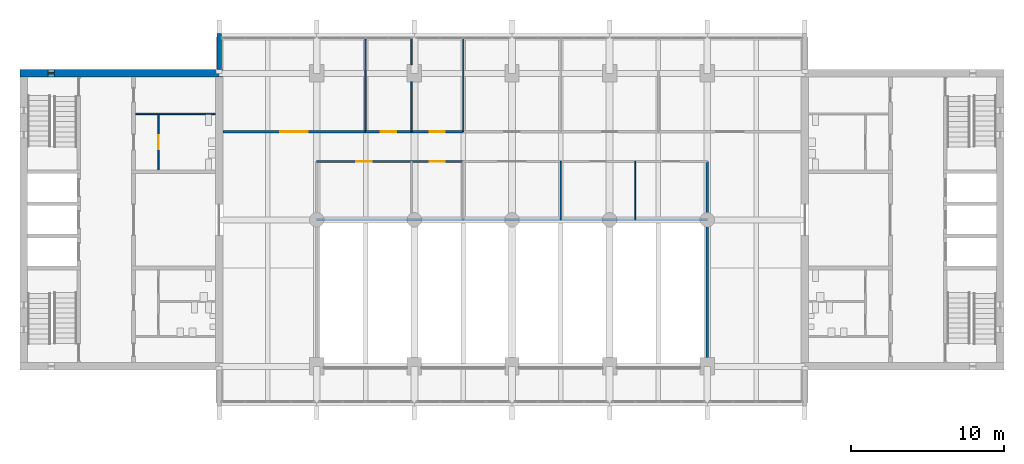
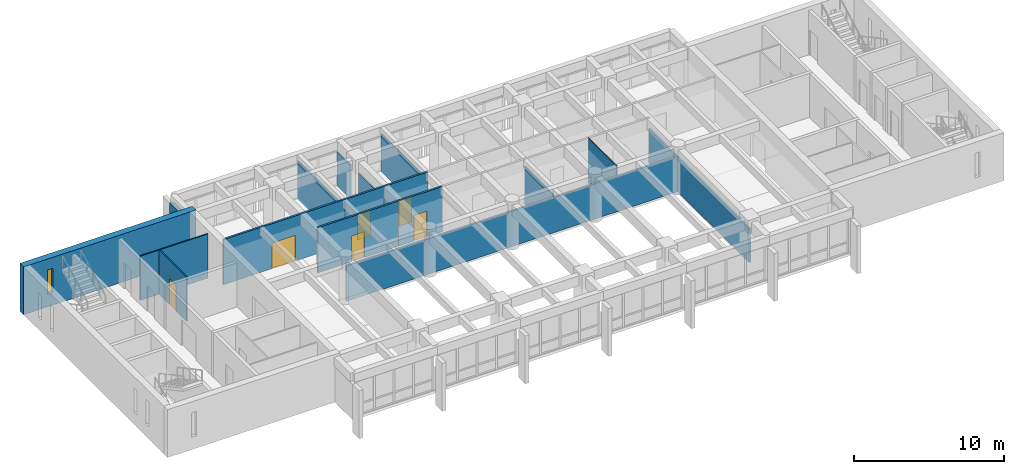
# One storey, part 10 of 15: 17 walls, 6 doors, 1 window, 7 openings.
"""IFC4 building model written with IfcOpenShell, lengths in metres."""

from ifc_helpers import new_model, si_unit, direction, frame, frame_2d, origin, place, context, subcontext, project, spatial, rectangle, extrude, material, layer, layer_set, type_object, element, fill, save


model = new_model("IFC4")

# Units and contexts
model_context = context("Model", 3, precision=1e-05, world=origin(), true_north=direction((0.0, 1.0)))
body_context = subcontext(model_context, "Body", "Model", "MODEL_VIEW")
ifc_project = project(units=[si_unit("LENGTHUNIT", "METRE"), si_unit("AREAUNIT", "SQUARE_METRE"), si_unit("VOLUMEUNIT", "CUBIC_METRE"), si_unit("PLANEANGLEUNIT", "RADIAN"), si_unit("MASSUNIT", "GRAM", prefix="KILO")], contexts=[model_context])

# Site, building, storey
site_placement = place(None, origin())
site = spatial("IfcSite", under=ifc_project, at=site_placement, CompositionType="ELEMENT")
building_placement = place(site_placement, origin())
building = spatial("IfcBuilding", under=site, at=building_placement, Name="Fogon Plaza Fire Station and Headquarters Tower", CompositionType="ELEMENT")
storey_placement = place(building_placement, frame((0.0, 0.0, 36.60009765625)))
storey = spatial("IfcBuildingStorey", under=building, at=storey_placement, Name="L09", CompositionType="ELEMENT", Elevation=36.60009765625)

# Wall
ifc_material_1 = material(Name="Concrete C40", Category="concrete")
ifc_layer_1 = layer(ifc_material_1, 0.300048828125)
ifc_layer_set_1 = layer_set([ifc_layer_1], Name="Concrete C40")
wall_type_1 = type_object("IfcWallType", Name="Fair-faced RC Return Panel 300", PredefinedType="SOLIDWALL", material=ifc_layer_set_1)
wall_1_placement = place(storey_placement, frame((25.60009765625, 53.050048828125, 0.0), z_axis=(0.0, 0.0, 1.0), x_axis=(0.0, 1.0, 0.0)))
element("IfcWall", 1, at=wall_1_placement, inside=storey, type_object=wall_type_1, Name="Bar end return WN L09", PredefinedType="SOLIDWALL", context=body_context, shape_type="SweptSolid", body=[
    extrude(rectangle(XDim=2.349853515625, YDim=0.300048828125, at=frame_2d((1.1748046875, 0.0))), origin(), (0.0, 0.0, 1.0), 2.8798828125),
])

# Wall, opening, door
ifc_material_2 = material(Name="Blockwork", Category="masonry")
ifc_layer_2 = layer(ifc_material_2, 0.10009765625)
ifc_layer_set_2 = layer_set([ifc_layer_2], Name="Blockwork")
wall_type_2 = type_object("IfcWallType", Name="Partition Blockwork 100", PredefinedType="PARTITIONING", material=ifc_layer_set_2)
wall_2_placement = place(storey_placement, frame((21.625, 46.47509765625, 0.0), z_axis=(0.0, 0.0, 1.0), x_axis=(0.0, 1.0, 0.0)))
wall_2 = element("IfcWall", 2, at=wall_2_placement, inside=storey, type_object=wall_type_2, Name="WC block partition", PredefinedType="PARTITIONING", context=body_context, shape_type="SweptSolid", body=[
    extrude(rectangle(XDim=3.625, YDim=0.10009765625, at=frame_2d((1.8125, 0.0))), origin(), (0.0, 0.0, 1.0), 3.599853515625),
])
opening_1_placement = place(wall_2_placement, frame((1.362548828125, 0.0, 0.0)))
opening_1 = element("IfcOpeningElement", 3, at=opening_1_placement, cuts=wall_2, Name="Opening L09-D13", PredefinedType="OPENING", context=body_context, shape_type="SweptSolid", body=[
    extrude(rectangle(XDim=0.89990234375, YDim=2.10009765625, at=frame_2d((0.449951171875, 1.050048828125))), frame((0.0, 0.06005859375, 0.0), z_axis=(0.0, -1.0, 0.0), x_axis=(1.0, 0.0, 0.0)), (0.0, 0.0, 1.0), 0.1201171875),
])
ifc_material_3 = material(Name="Timber Door Leaf", Category="wood")
door_type_1 = type_object("IfcDoorType", Name="WC Single 900x2100", OperationType="SINGLE_SWING_LEFT", PredefinedType="DOOR", material=ifc_material_3)
door_1_placement = place(opening_1_placement, frame((0.89990234375, 0.0, 0.0), z_axis=(0.0, 0.0, 1.0), x_axis=(-1.0, 0.0, 0.0)))
door_1 = element("IfcDoor", 4, at=door_1_placement, inside=storey, type_object=door_type_1, Name="Women's WC A door", OperationType="SINGLE_SWING_RIGHT", OverallHeight=2.10009765625, OverallWidth=0.89990234375, PredefinedType="DOOR", context=body_context, shape_type="SweptSolid", body=[
    extrude(rectangle(XDim=0.89990234375, YDim=2.10009765625, at=frame_2d((0.449951171875, 1.050048828125))), frame((0.0, 0.02490234375, 0.0), z_axis=(0.0, -1.0, 0.0), x_axis=(1.0, 0.0, 0.0)), (0.0, 0.0, 1.0), 0.050048828125),
])
fill(opening_1, door_1)

# Wall
ifc_material_4 = material(Name="Blockwork", Category="masonry")
ifc_layer_3 = layer(ifc_material_4, 0.10009765625)
ifc_layer_set_3 = layer_set([ifc_layer_3], Name="Blockwork")
wall_type_3 = type_object("IfcWallType", Name="Riser Partition Blockwork 100", PredefinedType="PARTITIONING", material=ifc_layer_set_3)
wall_3_placement = place(storey_placement, frame((20.125, 50.14990234375, 0.0), z_axis=(0.0, 0.0, 1.0), x_axis=(1.0, 0.0, 0.0)))
element("IfcWall", 5, at=wall_3_placement, inside=storey, type_object=wall_type_3, Name="Riser room partition", PredefinedType="PARTITIONING", context=body_context, shape_type="SweptSolid", body=[
    extrude(rectangle(XDim=5.22509765625, YDim=0.10009765625, at=frame_2d((2.612548828125, 0.0))), origin(), (0.0, 0.0, 1.0), 3.599853515625),
])

# Wall, opening, window
ifc_material_5 = material(Name="Concrete C40", Category="concrete")
ifc_layer_4 = layer(ifc_material_5, 0.5)
ifc_layer_set_4 = layer_set([ifc_layer_4], Name="Concrete C40")
wall_type_4 = type_object("IfcWallType", Name="Shear wall 500 SW50", PredefinedType="SHEAR", material=ifc_layer_set_4)
wall_4_placement = place(storey_placement, frame((12.550048828125, 52.800048828125, 0.0), z_axis=(0.0, 0.0, 1.0), x_axis=(1.0, 0.0, 0.0)))
wall_4 = element("IfcWall", 6, at=wall_4_placement, inside=storey, type_object=wall_type_4, Name="wall-coreA-N-L09", PredefinedType="SHEAR", context=body_context, shape_type="SweptSolid", body=[
    extrude(rectangle(XDim=13.300048828125, YDim=0.5, at=frame_2d((6.64990234375, 0.0))), origin(), (0.0, 0.0, 1.0), 3.89990234375),
])
opening_2_placement = place(wall_4_placement, frame((1.85009765625, 0.0, 1.0)))
opening_2 = element("IfcOpeningElement", 7, at=opening_2_placement, cuts=wall_4, Name="Opening WS1", PredefinedType="OPENING", context=body_context, shape_type="SweptSolid", body=[
    extrude(rectangle(XDim=0.39990234375, YDim=2.0, at=frame_2d((0.199951171875, 1.0))), frame((0.0, 0.260009765625, 0.0), z_axis=(0.0, -1.0, 0.0), x_axis=(1.0, 0.0, 0.0)), (0.0, 0.0, 1.0), 0.52001953125),
])
ifc_material_6 = material(Name="Aluminium framed double glazing", Category="aluminium")
window_type = type_object("IfcWindowType", Name="Slit Window WS1 400x2000", PartitioningType="SINGLE_PANEL", PredefinedType="WINDOW", material=ifc_material_6)
window_placement = place(opening_2_placement, origin())
window = element("IfcWindow", 8, at=window_placement, inside=storey, type_object=window_type, Name="Slit window A6 L09", OverallHeight=2.0, OverallWidth=0.39990234375, PartitioningType="SINGLE_PANEL", PredefinedType="WINDOW", context=body_context, shape_type="SweptSolid", body=[
    extrude(rectangle(XDim=0.39990234375, YDim=2.0, at=frame_2d((0.199951171875, 1.0))), frame((0.0, 0.030029296875, 0.0), z_axis=(0.0, -1.0, 0.0), x_axis=(1.0, 0.0, 0.0)), (0.0, 0.0, 1.0), 0.06005859375),
])
fill(opening_2, window)

# Wall, opening, door
ifc_material_7 = material(Name="Gypsum board on steel stud", Category="steel")
ifc_layer_5 = layer(ifc_material_7, 0.14990234375)
ifc_layer_set_5 = layer_set([ifc_layer_5], Name="Gypsum board on steel stud")
wall_type_5 = type_object("IfcWallType", Name="Tower corridor partition 150 EI 60", PredefinedType="PARTITIONING", material=ifc_layer_set_5)
wall_5_placement = place(storey_placement, frame((32.0, 47.02490234375, 0.0), z_axis=(0.0, 0.0, 1.0), x_axis=(1.0, 0.0, 0.0)))
wall_5 = element("IfcWall", 9, at=wall_5_placement, inside=storey, type_object=wall_type_5, Name="part-L09-01", PredefinedType="PARTITIONING", context=body_context, shape_type="SweptSolid", body=[
    extrude(rectangle(XDim=6.219970703125, YDim=0.14990234375, at=frame_2d((3.10986328125, 0.0))), origin(), (0.0, 0.0, 1.0), 3.679931640625),
])
opening_3_placement = place(wall_5_placement, frame((2.60009765625, 0.0, 0.0)))
opening_3 = element("IfcOpeningElement", 10, at=opening_3_placement, cuts=wall_5, Name="Opening L09-D29", PredefinedType="OPENING", context=body_context, shape_type="SweptSolid", body=[
    extrude(rectangle(XDim=1.0, YDim=2.10009765625, at=frame_2d((0.5, 1.050048828125))), frame((0.0, 0.0849609375, 0.0), z_axis=(0.0, -1.0, 0.0), x_axis=(1.0, 0.0, 0.0)), (0.0, 0.0, 1.0), 0.169921875),
])
ifc_material_8 = material(Name="Timber fire door", Category="wood")
door_type_2 = type_object("IfcDoorType", Name="Tower fire door single 1000 EI 20", OperationType="SINGLE_SWING_LEFT", PredefinedType="DOOR", material=ifc_material_8)
door_2_placement = place(opening_3_placement, frame((1.0, 0.0, 0.0), z_axis=(0.0, 0.0, 1.0), x_axis=(-1.0, 0.0, 0.0)))
door_2 = element("IfcDoor", 11, at=door_2_placement, inside=storey, type_object=door_type_2, Name="door-L09-01", OperationType="SINGLE_SWING_RIGHT", OverallHeight=2.10009765625, OverallWidth=1.0, PredefinedType="DOOR", context=body_context, shape_type="SweptSolid", body=[
    extrude(rectangle(XDim=1.0, YDim=2.10009765625, at=frame_2d((0.5, 1.050048828125))), frame((0.0, 0.02490234375, 0.0), z_axis=(0.0, -1.0, 0.0), x_axis=(1.0, 0.0, 0.0)), (0.0, 0.0, 1.0), 0.050048828125),
])
fill(opening_3, door_2)

wall_6_placement = place(storey_placement, frame((38.219970703125, 47.02490234375, 0.0), z_axis=(0.0, 0.0, 1.0), x_axis=(1.0, 0.0, 0.0)))
wall_6 = element("IfcWall", 12, at=wall_6_placement, inside=storey, type_object=wall_type_5, Name="part-L09-02", PredefinedType="PARTITIONING", context=body_context, shape_type="SweptSolid", body=[
    extrude(rectangle(XDim=3.380126953125, YDim=0.14990234375, at=frame_2d((1.68994140625, 0.0))), origin(), (0.0, 0.0, 1.0), 3.679931640625),
])
opening_4_placement = place(wall_6_placement, frame((1.179931640625, 0.0, 0.0)))
opening_4 = element("IfcOpeningElement", 13, at=opening_4_placement, cuts=wall_6, Name="Opening L09-D30", PredefinedType="OPENING", context=body_context, shape_type="SweptSolid", body=[
    extrude(rectangle(XDim=1.0, YDim=2.10009765625, at=frame_2d((0.5, 1.050048828125))), frame((0.0, 0.0849609375, 0.0), z_axis=(0.0, -1.0, 0.0), x_axis=(1.0, 0.0, 0.0)), (0.0, 0.0, 1.0), 0.169921875),
])
door_3_placement = place(opening_4_placement, frame((1.0, 0.0, 0.0), z_axis=(0.0, 0.0, 1.0), x_axis=(-1.0, 0.0, 0.0)))
door_3 = element("IfcDoor", 14, at=door_3_placement, inside=storey, type_object=door_type_2, Name="door-L09-02", OperationType="SINGLE_SWING_LEFT", OverallHeight=2.10009765625, OverallWidth=1.0, PredefinedType="DOOR", context=body_context, shape_type="SweptSolid", body=[
    extrude(rectangle(XDim=1.0, YDim=2.10009765625, at=frame_2d((0.5, 1.050048828125))), frame((0.0, 0.02490234375, 0.0), z_axis=(0.0, -1.0, 0.0), x_axis=(1.0, 0.0, 0.0)), (0.0, 0.0, 1.0), 0.050048828125),
])
fill(opening_4, door_3)

wall_7_placement = place(storey_placement, frame((25.85009765625, 48.97509765625, 0.0), z_axis=(0.0, 0.0, 1.0), x_axis=(1.0, 0.0, 0.0)))
wall_7 = element("IfcWall", 15, at=wall_7_placement, inside=storey, type_object=wall_type_5, Name="part-L09-10", PredefinedType="PARTITIONING", context=body_context, shape_type="SweptSolid", body=[
    extrude(rectangle(XDim=9.349853515625, YDim=0.14990234375, at=frame_2d((4.6748046875, 0.0))), origin(), (0.0, 0.0, 1.0), 3.679931640625),
])
opening_5_placement = place(wall_7_placement, frame((3.75, 0.0, 0.0)))
opening_5 = element("IfcOpeningElement", 16, at=opening_5_placement, cuts=wall_7, Name="Opening L09-D34", PredefinedType="OPENING", context=body_context, shape_type="SweptSolid", body=[
    extrude(rectangle(XDim=1.800048828125, YDim=2.10009765625, at=frame_2d((0.89990234375, 1.050048828125))), frame((0.0, 0.0849609375, 0.0), z_axis=(0.0, -1.0, 0.0), x_axis=(1.0, 0.0, 0.0)), (0.0, 0.0, 1.0), 0.169921875),
])
ifc_material_9 = material(Name="Timber fire door", Category="wood")
door_type_3 = type_object("IfcDoorType", Name="Tower fire door double 1800 EI 20", OperationType="DOUBLE_DOOR_SINGLE_SWING", PredefinedType="DOOR", material=ifc_material_9)
door_4_placement = place(opening_5_placement, origin())
door_4 = element("IfcDoor", 17, at=door_4_placement, inside=storey, type_object=door_type_3, Name="door-L09-06", OperationType="DOUBLE_DOOR_SINGLE_SWING", OverallHeight=2.10009765625, OverallWidth=1.800048828125, PredefinedType="DOOR", context=body_context, shape_type="SweptSolid", body=[
    extrude(rectangle(XDim=1.800048828125, YDim=2.10009765625, at=frame_2d((0.89990234375, 1.050048828125))), frame((0.0, 0.02490234375, 0.0), z_axis=(0.0, -1.0, 0.0), x_axis=(1.0, 0.0, 0.0)), (0.0, 0.0, 1.0), 0.050048828125),
])
fill(opening_5, door_4)

wall_8_placement = place(storey_placement, frame((35.199951171875, 48.97509765625, 0.0), z_axis=(0.0, 0.0, 1.0), x_axis=(1.0, 0.0, 0.0)))
wall_8 = element("IfcWall", 18, at=wall_8_placement, inside=storey, type_object=wall_type_5, Name="part-L09-11", PredefinedType="PARTITIONING", context=body_context, shape_type="SweptSolid", body=[
    extrude(rectangle(XDim=3.02001953125, YDim=0.14990234375, at=frame_2d((1.510009765625, 0.0))), origin(), (0.0, 0.0, 1.0), 3.679931640625),
])
opening_6_placement = place(wall_8_placement, frame((1.0, 0.0, 0.0)))
opening_6 = element("IfcOpeningElement", 19, at=opening_6_placement, cuts=wall_8, Name="Opening L09-D35", PredefinedType="OPENING", context=body_context, shape_type="SweptSolid", body=[
    extrude(rectangle(XDim=1.0, YDim=2.10009765625, at=frame_2d((0.5, 1.050048828125))), frame((0.0, 0.0849609375, 0.0), z_axis=(0.0, -1.0, 0.0), x_axis=(1.0, 0.0, 0.0)), (0.0, 0.0, 1.0), 0.169921875),
])
door_5_placement = place(opening_6_placement, origin())
door_5 = element("IfcDoor", 20, at=door_5_placement, inside=storey, type_object=door_type_2, Name="door-L09-07", OperationType="SINGLE_SWING_LEFT", OverallHeight=2.10009765625, OverallWidth=1.0, PredefinedType="DOOR", context=body_context, shape_type="SweptSolid", body=[
    extrude(rectangle(XDim=1.0, YDim=2.10009765625, at=frame_2d((0.5, 1.050048828125))), frame((0.0, 0.02490234375, 0.0), z_axis=(0.0, -1.0, 0.0), x_axis=(1.0, 0.0, 0.0)), (0.0, 0.0, 1.0), 0.050048828125),
])
fill(opening_6, door_5)

wall_9_placement = place(storey_placement, frame((38.219970703125, 48.97509765625, 0.0), z_axis=(0.0, 0.0, 1.0), x_axis=(1.0, 0.0, 0.0)))
wall_9 = element("IfcWall", 21, at=wall_9_placement, inside=storey, type_object=wall_type_5, Name="part-L09-12", PredefinedType="PARTITIONING", context=body_context, shape_type="SweptSolid", body=[
    extrude(rectangle(XDim=3.380126953125, YDim=0.14990234375, at=frame_2d((1.68994140625, 0.0))), origin(), (0.0, 0.0, 1.0), 3.679931640625),
])
opening_7_placement = place(wall_9_placement, frame((1.179931640625, 0.0, 0.0)))
opening_7 = element("IfcOpeningElement", 22, at=opening_7_placement, cuts=wall_9, Name="Opening L09-D36", PredefinedType="OPENING", context=body_context, shape_type="SweptSolid", body=[
    extrude(rectangle(XDim=1.0, YDim=2.10009765625, at=frame_2d((0.5, 1.050048828125))), frame((0.0, 0.0849609375, 0.0), z_axis=(0.0, -1.0, 0.0), x_axis=(1.0, 0.0, 0.0)), (0.0, 0.0, 1.0), 0.169921875),
])
door_6_placement = place(opening_7_placement, origin())
door_6 = element("IfcDoor", 23, at=door_6_placement, inside=storey, type_object=door_type_2, Name="door-L09-08", OperationType="SINGLE_SWING_RIGHT", OverallHeight=2.10009765625, OverallWidth=1.0, PredefinedType="DOOR", context=body_context, shape_type="SweptSolid", body=[
    extrude(rectangle(XDim=1.0, YDim=2.10009765625, at=frame_2d((0.5, 1.050048828125))), frame((0.0, 0.02490234375, 0.0), z_axis=(0.0, -1.0, 0.0), x_axis=(1.0, 0.0, 0.0)), (0.0, 0.0, 1.0), 0.050048828125),
])
fill(opening_7, door_6)

# Walls
ifc_material_10 = material(Name="Gypsum board on steel stud", Category="steel")
ifc_layer_6 = layer(ifc_material_10, 0.14990234375)
ifc_layer_set_6 = layer_set([ifc_layer_6], Name="Gypsum board on steel stud")
wall_type_6 = type_object("IfcWallType", Name="Tower corridor partition 150 EI 60 Beam Head 800", PredefinedType="PARTITIONING", material=ifc_layer_set_6)
wall_10_placement = place(storey_placement, frame((32.0, 43.199951171875, 0.0), z_axis=(0.0, 0.0, 1.0), x_axis=(1.0, 0.0, 0.0)))
element("IfcWall", 24, at=wall_10_placement, inside=storey, type_object=wall_type_6, Name="part-L09-24", PredefinedType="PARTITIONING", context=body_context, shape_type="SweptSolid", body=[
    extrude(rectangle(XDim=25.60009765625, YDim=0.14990234375, at=frame_2d((12.800048828125, 0.0))), origin(), (0.0, 0.0, 1.0), 2.8798828125),
])
ifc_material_11 = material(Name="Gypsum board on steel stud", Category="steel")
ifc_layer_7 = layer(ifc_material_11, 0.14990234375)
ifc_layer_set_7 = layer_set([ifc_layer_7], Name="Gypsum board on steel stud")
wall_type_7 = type_object("IfcWallType", Name="Tower corridor partition 150 EI 60 Beam Head 900", PredefinedType="PARTITIONING", material=ifc_layer_set_7)
wall_11_placement = place(storey_placement, frame((57.60009765625, 33.60009765625, 0.0), z_axis=(0.0, 0.0, 1.0), x_axis=(0.0, 1.0, 0.0)))
element("IfcWall", 25, at=wall_11_placement, inside=storey, type_object=wall_type_7, Name="part-L09-23", PredefinedType="PARTITIONING", context=body_context, shape_type="SweptSolid", body=[
    extrude(rectangle(XDim=13.4248046875, YDim=0.14990234375, at=frame_2d((6.71240234375, 0.0))), origin(), (0.0, 0.0, 1.0), 2.77978515625),
])
ifc_material_12 = material(Name="Glazed aluminium partition", Category="aluminium")
ifc_layer_8 = layer(ifc_material_12, 0.074951171875)
ifc_layer_set_8 = layer_set([ifc_layer_8], Name="Glazed aluminium partition")
wall_type_8 = type_object("IfcWallType", Name="Tower glazed partition 75", PredefinedType="PARTITIONING", material=ifc_layer_set_8)
wall_12_placement = place(storey_placement, frame((52.889892578125, 43.199951171875, 0.0), z_axis=(0.0, 0.0, 1.0), x_axis=(0.0, 1.0, 0.0)))
element("IfcWall", 26, at=wall_12_placement, inside=storey, type_object=wall_type_8, Name="part-L09-09", PredefinedType="PARTITIONING", context=body_context, shape_type="SweptSolid", body=[
    extrude(rectangle(XDim=3.824951171875, YDim=0.074951171875, at=frame_2d((1.91259765625, 0.0))), origin(), (0.0, 0.0, 1.0), 3.679931640625),
])
ifc_material_13 = material(Name="Glazed aluminium partition", Category="aluminium")
ifc_layer_9 = layer(ifc_material_13, 0.074951171875)
ifc_layer_set_9 = layer_set([ifc_layer_9], Name="Glazed aluminium partition")
wall_type_9 = type_object("IfcWallType", Name="Tower glazed partition 75 Beam Head 600", PredefinedType="PARTITIONING", material=ifc_layer_set_9)
wall_13_placement = place(storey_placement, frame((48.0, 43.199951171875, 0.0), z_axis=(0.0, 0.0, 1.0), x_axis=(0.0, 1.0, 0.0)))
element("IfcWall", 27, at=wall_13_placement, inside=storey, type_object=wall_type_9, Name="part-L09-08", PredefinedType="PARTITIONING", context=body_context, shape_type="SweptSolid", body=[
    extrude(rectangle(XDim=3.824951171875, YDim=0.074951171875, at=frame_2d((1.91259765625, 0.0))), origin(), (0.0, 0.0, 1.0), 3.079833984375),
])
wall_14_placement = place(storey_placement, frame((41.60009765625, 48.97509765625, 0.0), z_axis=(0.0, 0.0, 1.0), x_axis=(0.0, 1.0, 0.0)))
element("IfcWall", 28, at=wall_14_placement, inside=storey, type_object=wall_type_9, Name="part-L09-19", PredefinedType="PARTITIONING", context=body_context, shape_type="SweptSolid", body=[
    extrude(rectangle(XDim=6.125, YDim=0.074951171875, at=frame_2d((3.0625, 0.0))), origin(), (0.0, 0.0, 1.0), 3.079833984375),
])
ifc_material_14 = material(Name="Gypsum board on steel stud", Category="steel")
ifc_layer_10 = layer(ifc_material_14, 0.10009765625)
ifc_layer_set_10 = layer_set([ifc_layer_10], Name="Gypsum board on steel stud")
wall_type_10 = type_object("IfcWallType", Name="Tower office partition 100 Beam Head 600", PredefinedType="PARTITIONING", material=ifc_layer_set_10)
wall_15_placement = place(storey_placement, frame((35.199951171875, 48.97509765625, 0.0), z_axis=(0.0, 0.0, 1.0), x_axis=(0.0, 1.0, 0.0)))
element("IfcWall", 29, at=wall_15_placement, inside=storey, type_object=wall_type_10, Name="part-L09-16", PredefinedType="PARTITIONING", context=body_context, shape_type="SweptSolid", body=[
    extrude(rectangle(XDim=6.125, YDim=0.10009765625, at=frame_2d((3.0625, 0.0))), origin(), (0.0, 0.0, 1.0), 3.079833984375),
])
ifc_material_15 = material(Name="Gypsum board on steel stud", Category="steel")
ifc_layer_11 = layer(ifc_material_15, 0.10009765625)
ifc_layer_set_11 = layer_set([ifc_layer_11], Name="Gypsum board on steel stud")
wall_type_11 = type_object("IfcWallType", Name="Tower office partition 100 Beam Head 900", PredefinedType="PARTITIONING", material=ifc_layer_set_11)
wall_16_placement = place(storey_placement, frame((38.219970703125, 48.97509765625, 0.0), z_axis=(0.0, 0.0, 1.0), x_axis=(0.0, 1.0, 0.0)))
element("IfcWall", 30, at=wall_16_placement, inside=storey, type_object=wall_type_11, Name="part-L09-17", PredefinedType="PARTITIONING", context=body_context, shape_type="SweptSolid", body=[
    extrude(rectangle(XDim=3.27001953125, YDim=0.10009765625, at=frame_2d((1.635009765625, 0.0))), origin(), (0.0, 0.0, 1.0), 2.77978515625),
])
wall_17_placement = place(storey_placement, frame((38.219970703125, 53.35498046875, 0.0), z_axis=(0.0, 0.0, 1.0), x_axis=(0.0, 1.0, 0.0)))
element("IfcWall", 31, at=wall_17_placement, inside=storey, type_object=wall_type_11, Name="part-L09-18", PredefinedType="PARTITIONING", context=body_context, shape_type="SweptSolid", body=[
    extrude(rectangle(XDim=1.7451171875, YDim=0.10009765625, at=frame_2d((0.87255859375, 0.0))), origin(), (0.0, 0.0, 1.0), 2.77978515625),
])

save(model, "model.ifc")
